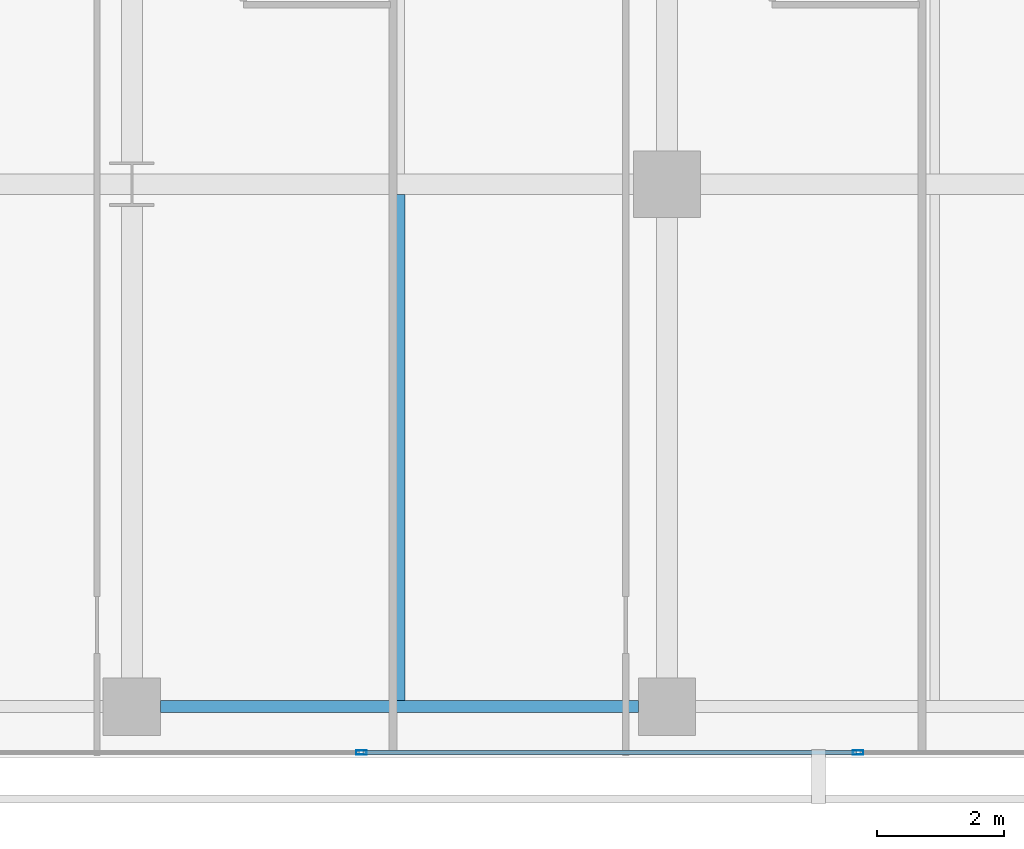
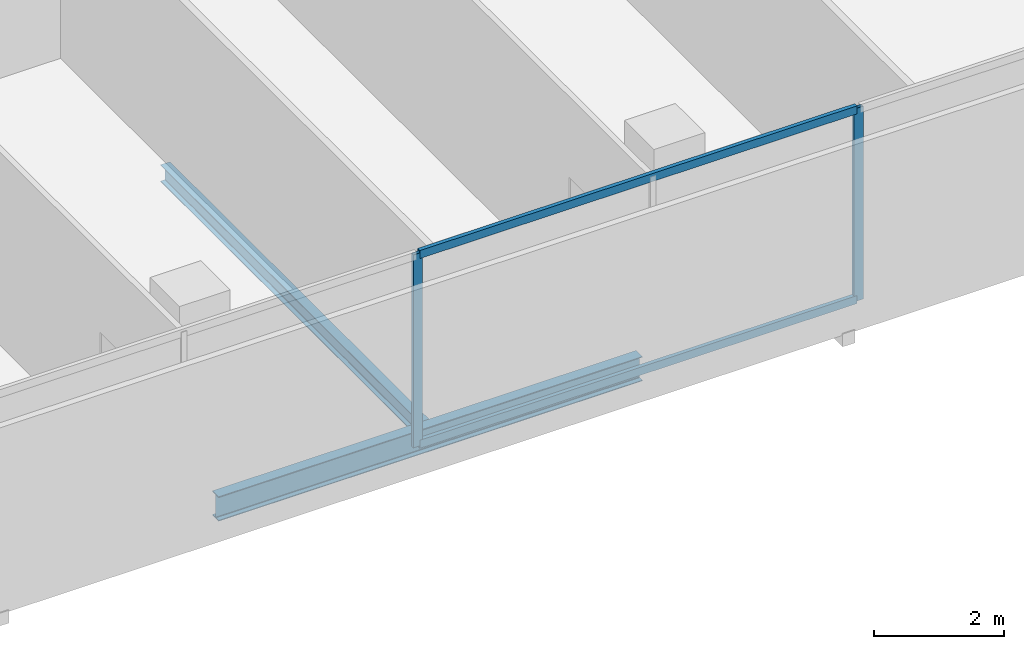
# One storey, part 14 of 39: 4 members, 2 beams, 1 element without a shape of its own.
"""IFC4 building model written with IfcOpenShell, lengths in metres."""

from ifc_helpers import new_model, si_unit, direction, frame, origin, origin_2d, place, context, subcontext, project, spatial, hollow_rectangle, i_section, extrude, material, layer, layer_set, material_profile, profile_set, type_object, element, aggregate, save


model = new_model("IFC4")

# Units and contexts
model_context = context("Model", 3, precision=1e-05, world=origin(), true_north=direction((0.0, 1.0)))
body_context = subcontext(model_context, "Body", "Model", "MODEL_VIEW")
ifc_project = project(units=[si_unit("LENGTHUNIT", "METRE"), si_unit("AREAUNIT", "SQUARE_METRE"), si_unit("VOLUMEUNIT", "CUBIC_METRE"), si_unit("PLANEANGLEUNIT", "RADIAN"), si_unit("MASSUNIT", "GRAM", prefix="KILO")], contexts=[model_context])

# Site, building, storey
site_placement = place(None, origin())
site = spatial("IfcSite", under=ifc_project, at=site_placement, CompositionType="ELEMENT")
building_placement = place(site_placement, origin())
building = spatial("IfcBuilding", under=site, at=building_placement, Name="Maruvema Waterfront Hotel and Observation Tower", CompositionType="ELEMENT")
storey_placement = place(building_placement, frame((0.0, 0.0, 46.199951171875)))
storey = spatial("IfcBuildingStorey", under=building, at=storey_placement, Name="L10", CompositionType="ELEMENT", Elevation=46.199951171875)

# Curtain wall, members
ifc_material_1 = material(Name="Anodised bronze aluminium and solar-control low-E IGU", Category="aluminium")
ifc_layer = layer(ifc_material_1, 0.159912109375, Name="Zone 1 Bronze Inner Thermal Curtain Wall System CW-02")
ifc_layer_set = layer_set([ifc_layer], Name="Anodised bronze aluminium and solar-control low-E IGU")
curtain_wall_type = type_object("IfcCurtainWallType", Name="Zone 1 Bronze Inner Thermal Curtain Wall System CW-02", PredefinedType="USERDEFINED", material=ifc_layer_set)
curtain_wall_placement = place(storey_placement, origin())
curtain_wall = element("IfcCurtainWall", 1, at=curtain_wall_placement, inside=storey, type_object=curtain_wall_type, Name="L10 Curtain Wall CW-L10-S", ObjectType="UNITISED CURTAIN WALL", PredefinedType="USERDEFINED")
ifc_material_2 = material(Name="Anodised architectural bronze aluminium", Category="aluminium")
ifc_material_profile_1 = material_profile(ifc_material_2, hollow_rectangle(XDim=0.070068359375, YDim=0.14990234375, WallThickness=0.00390625, at=origin_2d()), Name="ALU-T70x150")
ifc_profile_set_1 = profile_set([ifc_material_profile_1], Name="Anodised architectural bronze aluminium")
member_type_1 = type_object("IfcMemberType", Name="Curtain Wall Horizontal Transom ALU-T70x150", PredefinedType="USERDEFINED", material=ifc_profile_set_1)
member_1_placement = place(storey_placement, frame((45.6298828125, 0.080078125, 0.030029296875), z_axis=(1.0, 0.0, 0.0), x_axis=(0.0, 1.0, 0.0)))
member_1 = element("IfcMember", 2, at=member_1_placement, type_object=member_type_1, Name="CW-02 transom 5.1", ObjectType="TRANSOM", PredefinedType="USERDEFINED", context=body_context, shape_type="SweptSolid", body=[
    extrude(hollow_rectangle(XDim=0.070068359375, YDim=0.14990234375, WallThickness=0.00390625, at=origin_2d()), origin(), (0.0, 0.0, 1.0), 7.740234375),
])
member_2_placement = place(storey_placement, frame((45.6298828125, 0.080078125, 3.580078125), z_axis=(1.0, 0.0, 0.0), x_axis=(0.0, 1.0, 0.0)))
member_2 = element("IfcMember", 3, at=member_2_placement, type_object=member_type_1, Name="CW-02 transom 5.2", ObjectType="TRANSOM", PredefinedType="USERDEFINED", context=body_context, shape_type="SweptSolid", body=[
    extrude(hollow_rectangle(XDim=0.070068359375, YDim=0.14990234375, WallThickness=0.00390625, at=origin_2d()), origin(), (0.0, 0.0, 1.0), 7.740234375),
])
ifc_material_3 = material(Name="Anodised architectural bronze aluminium", Category="aluminium")
ifc_material_profile_2 = material_profile(ifc_material_3, hollow_rectangle(XDim=0.06494140625, YDim=0.1650390625, WallThickness=0.00390625, at=origin_2d()), Name="ALU-M65x165")
ifc_profile_set_2 = profile_set([ifc_material_profile_2], Name="Anodised architectural bronze aluminium")
member_type_2 = type_object("IfcMemberType", Name="Curtain Wall Primary Mullion ALU-M65x165", PredefinedType="MULLION", material=ifc_profile_set_2)
member_3_placement = place(storey_placement, frame((45.60009765625, 0.080078125, 0.0), z_axis=(0.0, 0.0, 1.0), x_axis=(0.0, 1.0, 0.0)))
member_3 = element("IfcMember", 4, at=member_3_placement, type_object=member_type_2, Name="CW-02 mullion 5", PredefinedType="MULLION", context=body_context, shape_type="SweptSolid", body=[
    extrude(hollow_rectangle(XDim=0.06494140625, YDim=0.1650390625, WallThickness=0.00390625, at=origin_2d()), origin(), (0.0, 0.0, 1.0), 3.610107421875),
])
member_4_placement = place(storey_placement, frame((53.39990234375, 0.080078125, 0.0), z_axis=(0.0, 0.0, 1.0), x_axis=(0.0, 1.0, 0.0)))
member_4 = element("IfcMember", 5, at=member_4_placement, type_object=member_type_2, Name="CW-02 mullion 6", PredefinedType="MULLION", context=body_context, shape_type="SweptSolid", body=[
    extrude(hollow_rectangle(XDim=0.06494140625, YDim=0.1650390625, WallThickness=0.00390625, at=origin_2d()), origin(), (0.0, 0.0, 1.0), 3.610107421875),
])
aggregate(curtain_wall, [member_3, member_4, member_1, member_2])

# Beams
ifc_material_4 = material(Name="Steel ASTM A572 Grade 50", Category="steel")
ifc_material_profile_3 = material_profile(ifc_material_4, i_section(OverallWidth=0.18994140625, OverallDepth=0.45703125, WebThickness=0.009033203125, FlangeThickness=0.014404296875, FilletRadius=0.014892578125, at=origin_2d()), Name="W460x74.0")
ifc_profile_set_3 = profile_set([ifc_material_profile_3], Name="Steel ASTM A572 Grade 50")
beam_type_1 = type_object("IfcBeamType", Name="Perimeter Spandrel Beam W460x74.0", PredefinedType="SPANDREL", material=ifc_profile_set_3)
beam_1_placement = place(storey_placement, frame((42.449951171875, 0.800048828125, -0.468505859375), z_axis=(1.0, 0.0, 0.0), x_axis=(0.0, 1.0, 0.0)))
element("IfcBeam", 6, at=beam_1_placement, inside=storey, type_object=beam_type_1, Name="L10 Floor Girder EW-04", PredefinedType="SPANDREL", context=body_context, shape_type="SweptSolid", body=[
    extrude(i_section(OverallWidth=0.18994140625, OverallDepth=0.45703125, WebThickness=0.009033203125, FlangeThickness=0.014404296875, FilletRadius=0.014892578125, at=origin_2d()), origin(), (0.0, 0.0, 1.0), 7.5),
])
ifc_material_5 = material(Name="Steel ASTM A572 Grade 50", Category="steel")
ifc_material_profile_4 = material_profile(ifc_material_5, i_section(OverallWidth=0.1669921875, OverallDepth=0.31689453125, WebThickness=0.007568359375, FlangeThickness=0.01318359375, FilletRadius=0.012939453125, at=origin_2d()), Name="W310x52.0")
ifc_profile_set_4 = profile_set([ifc_material_profile_4], Name="Steel ASTM A572 Grade 50")
beam_type_2 = type_object("IfcBeamType", Name="Secondary Floor Joist W310x52.0", PredefinedType="JOIST", material=ifc_profile_set_4)
beam_2_placement = place(storey_placement, frame((46.199951171875, 0.89501953125, -0.3984375), z_axis=(0.0, 1.0, 0.0), x_axis=(-1.0, 0.0, 0.0)))
element("IfcBeam", 7, at=beam_2_placement, inside=storey, type_object=beam_type_2, Name="L10 Secondary Floor Joist JS-14", PredefinedType="JOIST", context=body_context, shape_type="SweptSolid", body=[
    extrude(i_section(OverallWidth=0.1669921875, OverallDepth=0.31689453125, WebThickness=0.007568359375, FlangeThickness=0.01318359375, FilletRadius=0.012939453125, at=origin_2d()), origin(), (0.0, 0.0, 1.0), 7.94140625),
])

save(model, "model.ifc")
